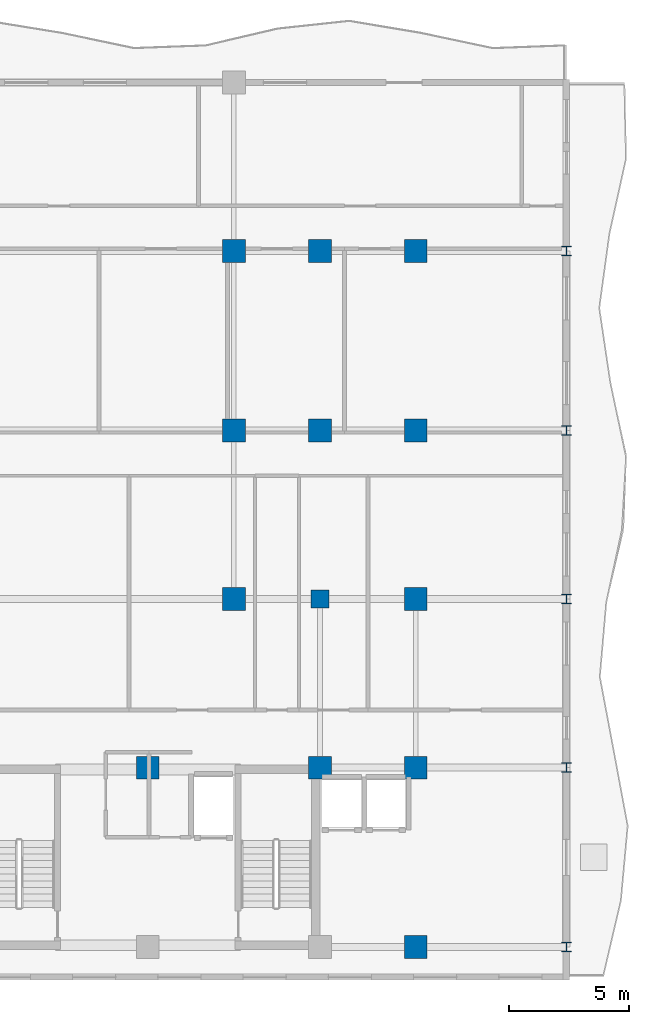
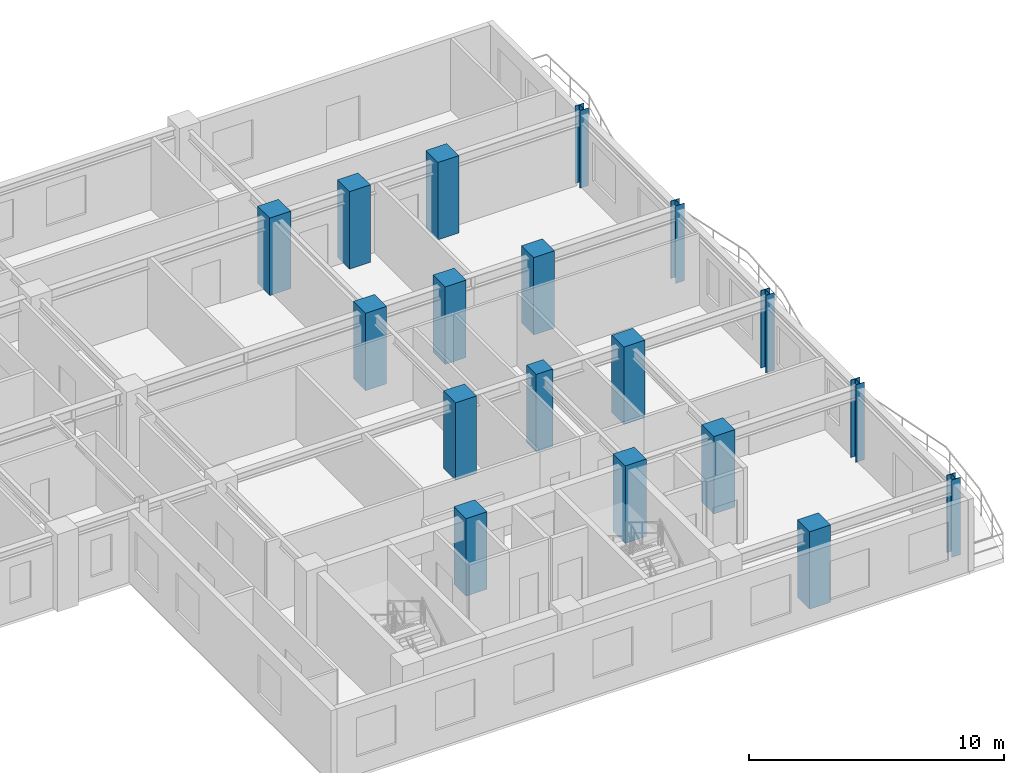
# One storey, part 2 of 20: 18 columns.
"""IFC4 building model written with IfcOpenShell, lengths in metres."""

from ifc_helpers import new_model, si_unit, direction, frame, origin, origin_2d, place, context, subcontext, project, spatial, rectangle, i_section, extrude, source, transform, mapped, material, material_profile, profile_set, type_object, element, save


model = new_model("IFC4")

# Units and contexts
model_context = context("Model", 3, precision=1e-05, world=origin(), true_north=direction((0.0, 1.0)))
body_context = subcontext(model_context, "Body", "Model", "MODEL_VIEW")
ifc_project = project(units=[si_unit("LENGTHUNIT", "METRE"), si_unit("AREAUNIT", "SQUARE_METRE"), si_unit("VOLUMEUNIT", "CUBIC_METRE"), si_unit("PLANEANGLEUNIT", "RADIAN"), si_unit("MASSUNIT", "GRAM", prefix="KILO")], contexts=[model_context])

# Site, building, storey
site_placement = place(None, origin())
site = spatial("IfcSite", under=ifc_project, at=site_placement, CompositionType="ELEMENT")
building_placement = place(site_placement, origin())
building = spatial("IfcBuilding", under=site, at=building_placement, Name="Kaliganga Portal Commons", CompositionType="ELEMENT")
storey_placement = place(building_placement, frame((0.0, 0.0, 216.60009765625)))
storey = spatial("IfcBuildingStorey", under=building, at=storey_placement, Name="L55", CompositionType="ELEMENT", Elevation=216.60009765625)

# Columns
ifc_material_1 = material(Name="Concrete C60/75", Category="concrete")
ifc_material_profile_1 = material_profile(ifc_material_1, rectangle(XDim=0.75, YDim=0.75, at=origin_2d()), Name="RC 750x750")
ifc_profile_set_1 = profile_set([ifc_material_profile_1], Name="Concrete C60/75")
column_type_1 = type_object("IfcColumnType", Name="COL-PILASTER-RC", PredefinedType="PILASTER", material=ifc_profile_set_1)
shared_shape_1 = source(origin(), body_context, "Body", "SweptSolid", [
    extrude(rectangle(XDim=0.75, YDim=0.75, at=origin_2d()), origin(), (0.0, 0.0, 1.0), 3.699951171875),
])
column_placement = place(storey_placement, frame((50.39990234375, 21.60009765625, 0.0), z_axis=(0.0, 0.0, 1.0), x_axis=(1.0, 0.0, 0.0)))
element("IfcColumn", 1, at=column_placement, inside=storey, type_object=column_type_1, Name="Column CP-01 L55", PredefinedType="PILASTER", context=body_context, shape_type="MappedRepresentation", body=[
    mapped(shared_shape_1, transform((0.0, 0.0, 0.0), x_axis=(1.0, 0.0, 0.0), y_axis=(0.0, 1.0, 0.0), z_axis=(0.0, 0.0, 1.0), scale=1.0)),
])
ifc_material_2 = material(Name="Concrete C50/60", Category="concrete")
ifc_material_profile_2 = material_profile(ifc_material_2, rectangle(XDim=0.949951171875, YDim=0.949951171875, at=origin_2d()), Name="RC 950x950")
ifc_profile_set_2 = profile_set([ifc_material_profile_2], Name="Concrete C50/60")
column_type_2 = type_object("IfcColumnType", Name="COL-MEGA-Z4", PredefinedType="COLUMN", material=ifc_profile_set_2)
shared_shape_2 = source(origin(), body_context, "Body", "SweptSolid", [
    extrude(rectangle(XDim=0.949951171875, YDim=0.949951171875, at=origin_2d()), origin(), (0.0, 0.0, 1.0), 3.699951171875),
])
for number, where, z_axis, x_axis, name in (
    (2, (46.800048828125, 21.60009765625, 0.0), (0.0, 0.0, 1.0), (1.0, 0.0, 0.0), "Column MC-05 L55"),
    (3, (46.800048828125, 28.64990234375, 0.0), (0.0, 0.0, 1.0), (1.0, 0.0, 0.0), "Column MC-05 L55"),
    (4, (46.800048828125, 36.14990234375, 0.0), (0.0, 0.0, 1.0), (1.0, 0.0, 0.0), "Column MC-05 L55"),
    (5, (43.199951171875, 14.550048828125, 0.0), (0.0, 0.0, 1.0), (1.0, 0.0, 0.0), "Column MC-05 L55"),
    (6, (50.39990234375, 14.550048828125, 0.0), (0.0, 0.0, 1.0), (1.0, 0.0, 0.0), "Column MC-05 L55"),
    (7, (50.39990234375, 28.64990234375, 0.0), (0.0, 0.0, 1.0), (1.0, 0.0, 0.0), "Column MC-05 L55"),
    (8, (50.39990234375, 36.14990234375, 0.0), (0.0, 0.0, 1.0), (1.0, 0.0, 0.0), "Column MC-05 L55"),
    (9, (54.39990234375, 7.050048828125, 0.0), (0.0, 0.0, 1.0), (1.0, 0.0, 0.0), "Column MC-05 L55"),
    (10, (54.39990234375, 14.550048828125, 0.0), (0.0, 0.0, 1.0), (1.0, 0.0, 0.0), "Column MC-05 L55"),
    (11, (54.39990234375, 21.60009765625, 0.0), (0.0, 0.0, 1.0), (1.0, 0.0, 0.0), "Column MC-05 L55"),
    (12, (54.39990234375, 28.64990234375, 0.0), (0.0, 0.0, 1.0), (1.0, 0.0, 0.0), "Column MC-05 L55"),
    (13, (54.39990234375, 36.14990234375, 0.0), (0.0, 0.0, 1.0), (1.0, 0.0, 0.0), "Column MC-05 L55"),
):
    element("IfcColumn", number, at=place(storey_placement, frame(where, z_axis=z_axis, x_axis=x_axis)), inside=storey, type_object=column_type_2, Name=name, PredefinedType="COLUMN", context=body_context, shape_type="MappedRepresentation", body=[
        mapped(shared_shape_2, transform((0.0, 0.0, 0.0), x_axis=(1.0, 0.0, 0.0), y_axis=(0.0, 1.0, 0.0), z_axis=(0.0, 0.0, 1.0), scale=1.0)),
    ])
ifc_material_3 = material(Name="Structural steel S355J2", Category="steel")
ifc_material_profile_3 = material_profile(ifc_material_3, i_section(OverallWidth=0.39892578125, OverallDepth=0.39990234375, WebThickness=0.017333984375, FlangeThickness=0.0234375, FilletRadius=0.014892578125, at=origin_2d()), Name="HD 400x287")
ifc_profile_set_3 = profile_set([ifc_material_profile_3], Name="Structural steel S355J2 wide-flange")
column_type_3 = type_object("IfcColumnType", Name="COL-TUBE-B4", PredefinedType="COLUMN", material=ifc_profile_set_3)
shared_shape_3 = source(origin(), body_context, "Body", "SweptSolid", [
    extrude(i_section(OverallWidth=0.39892578125, OverallDepth=0.39990234375, WebThickness=0.017333984375, FlangeThickness=0.0234375, FilletRadius=0.014892578125, at=origin_2d()), origin(), (0.0, 0.0, 1.0), 3.699951171875),
])
for number, where, z_axis, x_axis, name in (
    (14, (60.699951171875, 7.050048828125, 0.0), (0.0, 0.0, 1.0), (1.0, 0.0, 0.0), "Column TC-04 L55"),
    (15, (60.699951171875, 14.550048828125, 0.0), (0.0, 0.0, 1.0), (1.0, 0.0, 0.0), "Column TC-04 L55"),
    (16, (60.699951171875, 21.60009765625, 0.0), (0.0, 0.0, 1.0), (1.0, 0.0, 0.0), "Column TC-04 L55"),
    (17, (60.699951171875, 28.64990234375, 0.0), (0.0, 0.0, 1.0), (1.0, 0.0, 0.0), "Column TC-04 L55"),
    (18, (60.699951171875, 36.14990234375, 0.0), (0.0, 0.0, 1.0), (1.0, 0.0, 0.0), "Column TC-04 L55"),
):
    element("IfcColumn", number, at=place(storey_placement, frame(where, z_axis=z_axis, x_axis=x_axis)), inside=storey, type_object=column_type_3, Name=name, PredefinedType="COLUMN", context=body_context, shape_type="MappedRepresentation", body=[
        mapped(shared_shape_3, transform((0.0, 0.0, 0.0), x_axis=(1.0, 0.0, 0.0), y_axis=(0.0, 1.0, 0.0), z_axis=(0.0, 0.0, 1.0), scale=1.0)),
    ])

save(model, "model.ifc")
